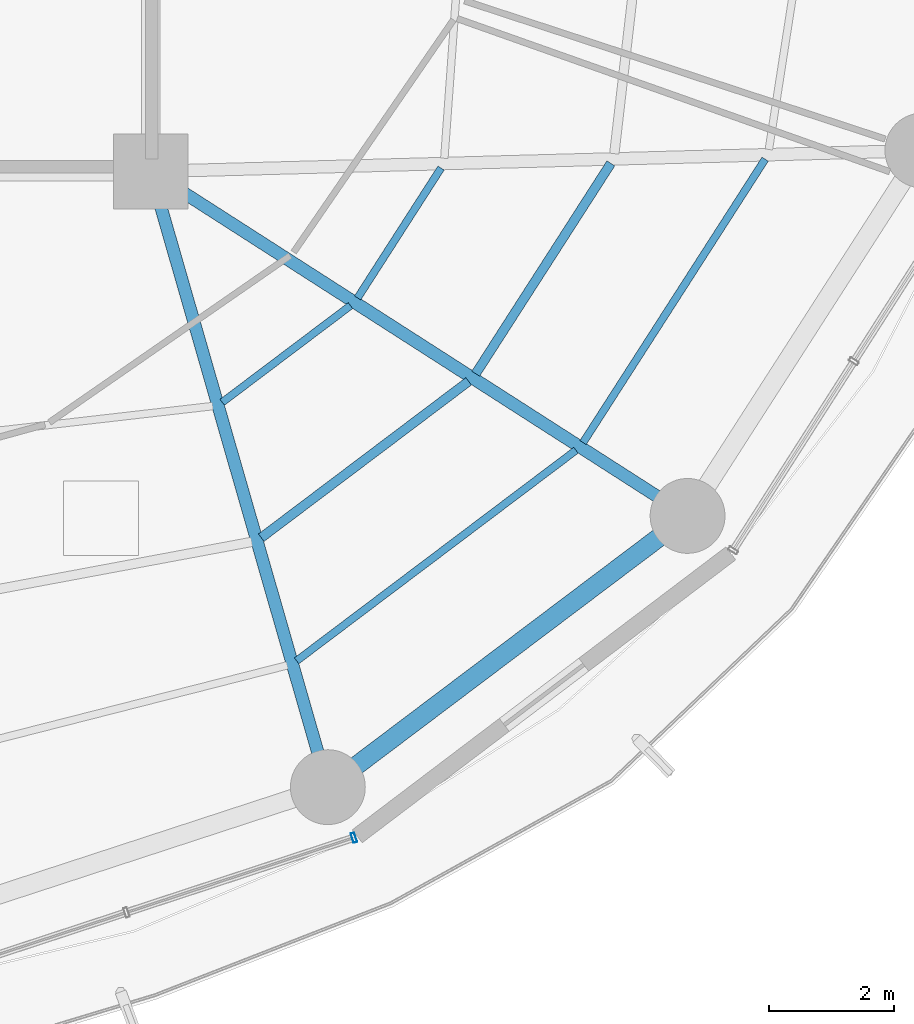
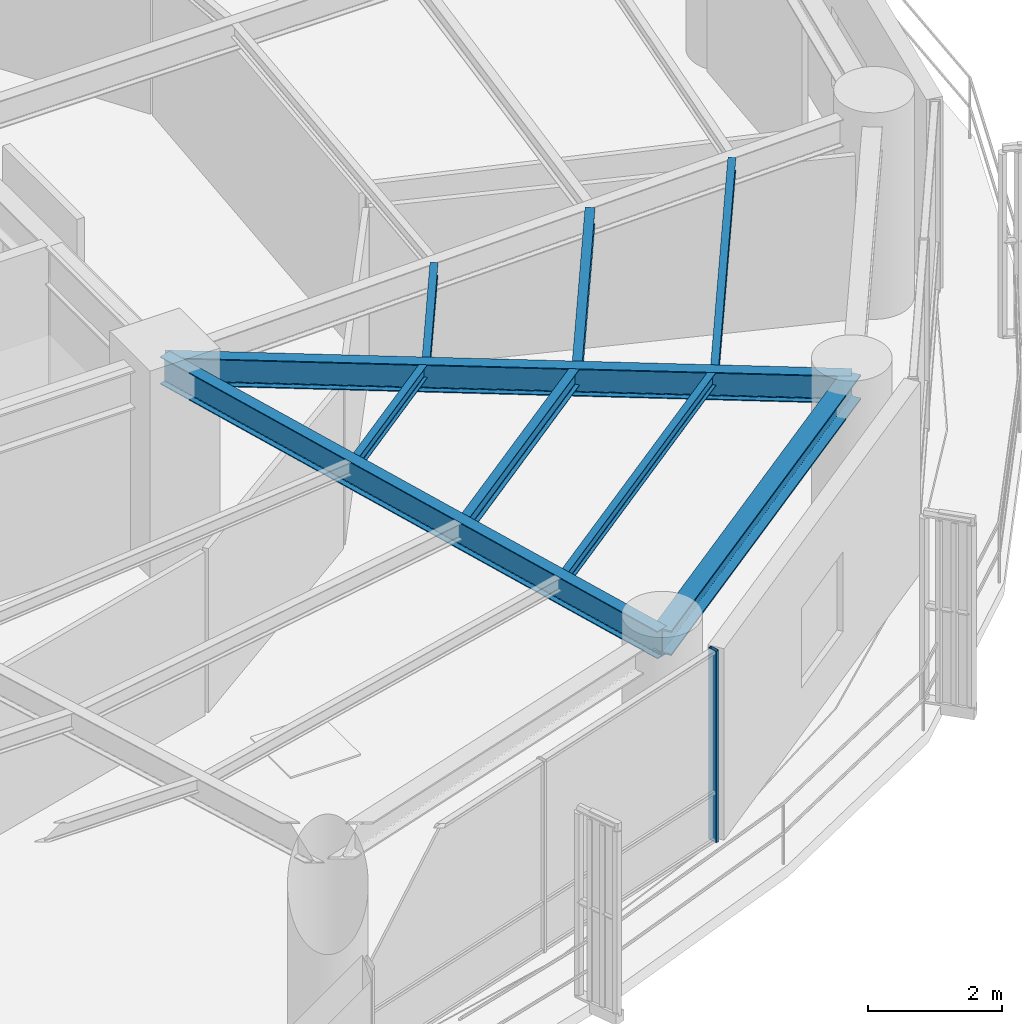
# One storey, part 10 of 28: 9 beams, 1 member, 1 element without a shape of its own.
"""IFC4 building model written with IfcOpenShell, lengths in metres."""

from ifc_helpers import new_model, si_unit, direction, frame, origin, origin_2d, place, context, subcontext, project, spatial, hollow_rectangle, i_section, extrude, material, layer, layer_set, material_profile, profile_set, type_object, element, aggregate, save


model = new_model("IFC4")

# Units and contexts
model_context = context("Model", 3, precision=1e-05, world=origin(), true_north=direction((0.0, 1.0)))
body_context = subcontext(model_context, "Body", "Model", "MODEL_VIEW")
ifc_project = project(units=[si_unit("LENGTHUNIT", "METRE"), si_unit("AREAUNIT", "SQUARE_METRE"), si_unit("VOLUMEUNIT", "CUBIC_METRE"), si_unit("PLANEANGLEUNIT", "RADIAN"), si_unit("MASSUNIT", "GRAM", prefix="KILO")], contexts=[model_context])

# Site, building, storey
site_placement = place(None, origin())
site = spatial("IfcSite", under=ifc_project, at=site_placement, CompositionType="ELEMENT")
building_placement = place(site_placement, origin())
building = spatial("IfcBuilding", under=site, at=building_placement, Name="Kelanora Arch Commons", CompositionType="ELEMENT")
storey_placement = place(building_placement, frame((0.0, 0.0, 180.60009765625)))
storey = spatial("IfcBuildingStorey", under=building, at=storey_placement, Name="L46", CompositionType="ELEMENT", Elevation=180.60009765625)

# Beams
ifc_material_1 = material(Name="Steel S355", Category="steel")
ifc_material_profile_1 = material_profile(ifc_material_1, i_section(OverallWidth=0.14990234375, OverallDepth=0.300048828125, WebThickness=0.007080078125, FlangeThickness=0.0107421875, FilletRadius=0.014892578125, at=origin_2d()), Name="IPE300")
ifc_profile_set_1 = profile_set([ifc_material_profile_1], Name="Steel S355")
beam_type_1 = type_object("IfcBeamType", Name="BM-JST-01", PredefinedType="JOIST", material=ifc_profile_set_1)
beam_1_placement = place(storey_placement, frame((83.77197265625, 45.129150390625, 3.33984375), z_axis=(0.798463547891, 0.602043156833, 0.0), x_axis=(-0.602043156833, 0.798463547891, 0.0)))
element("IfcBeam", 1, at=beam_1_placement, inside=storey, type_object=beam_type_1, Name="Secondary Chord Joist BJB-30 L46", PredefinedType="JOIST", context=body_context, shape_type="SweptSolid", body=[
    extrude(i_section(OverallWidth=0.14990234375, OverallDepth=0.300048828125, WebThickness=0.007080078125, FlangeThickness=0.0107421875, FilletRadius=0.014892578125, at=origin_2d()), origin(), (0.0, 0.0, 1.0), 4.163818359375),
])
beam_2_placement = place(storey_placement, frame((87.210693359375, 47.758544921875, 3.33984375), z_axis=(0.540594434398, 0.841283339606, 0.0), x_axis=(-0.841283339606, 0.540594434398, 0.0)))
element("IfcBeam", 2, at=beam_2_placement, inside=storey, type_object=beam_type_1, Name="Secondary Chord Joist BJB-32 L46", PredefinedType="JOIST", context=body_context, shape_type="SweptSolid", body=[
    extrude(i_section(OverallWidth=0.14990234375, OverallDepth=0.300048828125, WebThickness=0.007080078125, FlangeThickness=0.0107421875, FilletRadius=0.014892578125, at=origin_2d()), origin(), (0.0, 0.0, 1.0), 4.008544921875),
])
ifc_material_profile_2 = material_profile(ifc_material_1, i_section(OverallWidth=0.1201171875, OverallDepth=0.239990234375, WebThickness=0.006103515625, FlangeThickness=0.009765625, FilletRadius=0.014892578125, at=origin_2d()), Name="IPE240")
ifc_profile_set_2 = profile_set([ifc_material_profile_2], Name="Steel S355")
beam_type_2 = type_object("IfcBeamType", Name="BM-JST-02", PredefinedType="JOIST", material=ifc_profile_set_2)
beam_3_placement = place(storey_placement, frame((83.147216796875, 47.300537109375, 3.369873046875), z_axis=(0.798484118859, 0.602015873487, 0.0), x_axis=(-0.602015873487, 0.798484118859, 0.0)))
element("IfcBeam", 3, at=beam_3_placement, inside=storey, type_object=beam_type_2, Name="Secondary Chord Joist BJA-30 L46", PredefinedType="JOIST", context=body_context, shape_type="SweptSolid", body=[
    extrude(i_section(OverallWidth=0.1201171875, OverallDepth=0.239990234375, WebThickness=0.006103515625, FlangeThickness=0.009765625, FilletRadius=0.014892578125, at=origin_2d()), origin(), (0.0, 0.0, 1.0), 2.57470703125),
])
beam_4_placement = place(storey_placement, frame((84.33984375, 43.155029296875, 3.369873046875), z_axis=(0.798493128577, 0.602003923256, 0.0), x_axis=(-0.602003923256, 0.798493128577, 0.0)))
element("IfcBeam", 4, at=beam_4_placement, inside=storey, type_object=beam_type_2, Name="Secondary Chord Joist BJC-30 L46", PredefinedType="JOIST", context=body_context, shape_type="SweptSolid", body=[
    extrude(i_section(OverallWidth=0.1201171875, OverallDepth=0.239990234375, WebThickness=0.006103515625, FlangeThickness=0.009765625, FilletRadius=0.014892578125, at=origin_2d()), origin(), (0.0, 0.0, 1.0), 5.608642578125),
])
beam_5_placement = place(storey_placement, frame((85.31689453125, 48.973388671875, 3.369873046875), z_axis=(0.540583174025, 0.841290575224, 0.0), x_axis=(-0.841290575224, 0.540583174025, 0.0)))
element("IfcBeam", 5, at=beam_5_placement, inside=storey, type_object=beam_type_2, Name="Secondary Chord Joist BJA-32 L46", PredefinedType="JOIST", context=body_context, shape_type="SweptSolid", body=[
    extrude(i_section(OverallWidth=0.1201171875, OverallDepth=0.239990234375, WebThickness=0.006103515625, FlangeThickness=0.009765625, FilletRadius=0.014892578125, at=origin_2d()), origin(), (0.0, 0.0, 1.0), 2.476318359375),
])
beam_6_placement = place(storey_placement, frame((88.93212890625, 46.654296875, 3.369873046875), z_axis=(0.540581678156, 0.841291536414, 0.0), x_axis=(-0.841291536414, 0.540581678156, 0.0)))
element("IfcBeam", 6, at=beam_6_placement, inside=storey, type_object=beam_type_2, Name="Secondary Chord Joist BJC-32 L46", PredefinedType="JOIST", context=body_context, shape_type="SweptSolid", body=[
    extrude(i_section(OverallWidth=0.1201171875, OverallDepth=0.239990234375, WebThickness=0.006103515625, FlangeThickness=0.009765625, FilletRadius=0.014892578125, at=origin_2d()), origin(), (0.0, 0.0, 1.0), 5.4013671875),
])
ifc_material_profile_3 = material_profile(ifc_material_1, i_section(OverallWidth=0.199951171875, OverallDepth=0.5, WebThickness=0.01025390625, FlangeThickness=0.01611328125, FilletRadius=0.02099609375, at=origin_2d()), Name="IPE500")
ifc_profile_set_3 = profile_set([ifc_material_profile_3], Name="Steel S355")
beam_type_3 = type_object("IfcBeamType", Name="BM-RAD-Z3", PredefinedType="BEAM", material=ifc_profile_set_3)
beam_7_placement = place(storey_placement, frame((82.0, 51.0, 3.239990234375), z_axis=(0.276525880065, -0.961006471182, 0.0), x_axis=(0.961006471182, 0.276525880065, 0.0)))
element("IfcBeam", 7, at=beam_7_placement, inside=storey, type_object=beam_type_3, Name="Radial Floor Girder BR-30 L46", PredefinedType="BEAM", context=body_context, shape_type="SweptSolid", body=[
    extrude(i_section(OverallWidth=0.199951171875, OverallDepth=0.5, WebThickness=0.01025390625, FlangeThickness=0.01611328125, FilletRadius=0.02099609375, at=origin_2d()), origin(), (0.0, 0.0, 1.0), 10.2705078125),
])
beam_8_placement = place(storey_placement, frame((82.0, 51.0, 3.239990234375), z_axis=(0.841719465748, -0.539915123868, 0.0), x_axis=(0.539915123868, 0.841719465748, 0.0)))
element("IfcBeam", 8, at=beam_8_placement, inside=storey, type_object=beam_type_3, Name="Radial Floor Girder BR-32 L46", PredefinedType="BEAM", context=body_context, shape_type="SweptSolid", body=[
    extrude(i_section(OverallWidth=0.199951171875, OverallDepth=0.5, WebThickness=0.01025390625, FlangeThickness=0.01611328125, FilletRadius=0.02099609375, at=origin_2d()), origin(), (0.0, 0.0, 1.0), 10.2265625),
])
ifc_material_profile_4 = material_profile(ifc_material_1, i_section(OverallWidth=0.300048828125, OverallDepth=0.449951171875, WebThickness=0.013916015625, FlangeThickness=0.02587890625, FilletRadius=0.027099609375, at=origin_2d()), Name="HEB450")
ifc_profile_set_4 = profile_set([ifc_material_profile_4], Name="Steel S355")
beam_type_4 = type_object("IfcBeamType", Name="BM-SPN-Z3", PredefinedType="SPANDREL", material=ifc_profile_set_4)
beam_9_placement = place(storey_placement, frame((84.840087890625, 41.1298828125, 3.264892578125), z_axis=(0.798484645564, 0.60201517489, 0.0), x_axis=(-0.60201517489, 0.798484645564, 0.0)))
element("IfcBeam", 9, at=beam_9_placement, inside=storey, type_object=beam_type_4, Name="Perimeter Spandrel Beam BS-30 L46", PredefinedType="SPANDREL", context=body_context, shape_type="SweptSolid", body=[
    extrude(i_section(OverallWidth=0.300048828125, OverallDepth=0.449951171875, WebThickness=0.013916015625, FlangeThickness=0.02587890625, FilletRadius=0.027099609375, at=origin_2d()), origin(), (0.0, 0.0, 1.0), 7.223388671875),
])

# Curtain wall, member
ifc_material_2 = material(Name="Terracotta ceramic-fritted low-E glass and aluminium", Category="masonry")
ifc_layer = layer(ifc_material_2, 0.175048828125)
ifc_layer_set = layer_set([ifc_layer], Name="Terracotta ceramic-fritted low-E glass and aluminium")
curtain_wall_type = type_object("IfcCurtainWallType", Name="CW-SYS-02", PredefinedType="NOTDEFINED", material=ifc_layer_set)
curtain_wall_placement = place(storey_placement, origin())
curtain_wall = element("IfcCurtainWall", 10, at=curtain_wall_placement, inside=storey, type_object=curtain_wall_type, Name="Unitised Curtain Wall L46-B14", PredefinedType="NOTDEFINED")
ifc_material_3 = material(Name="Powder-coated aluminium terracotta", Category="masonry")
ifc_material_profile_5 = material_profile(ifc_material_3, hollow_rectangle(XDim=0.159912109375, YDim=0.06005859375, WallThickness=0.0048828125, InnerFilletRadius=0.0048828125, OuterFilletRadius=0.010009765625, at=origin_2d()), Name="CWM160x60")
ifc_profile_set_5 = profile_set([ifc_material_profile_5], Name="Powder-coated aluminium terracotta")
member_type = type_object("IfcMemberType", Name="CWM-STD", PredefinedType="MULLION", material=ifc_profile_set_5)
member_placement = place(storey_placement, frame((85.257080078125, 40.319091796875, 0.0), z_axis=(0.0, 0.0, 1.0), x_axis=(-0.312128279571, 0.95003996605, 0.0)))
member = element("IfcMember", 11, at=member_placement, type_object=member_type, Name="CW-02 mullion 3", PredefinedType="MULLION", context=body_context, shape_type="SweptSolid", body=[
    extrude(hollow_rectangle(XDim=0.159912109375, YDim=0.06005859375, WallThickness=0.0048828125, InnerFilletRadius=0.0048828125, OuterFilletRadius=0.010009765625, at=origin_2d()), origin(), (0.0, 0.0, 1.0), 3.474853515625),
])
aggregate(curtain_wall, [member])

save(model, "model.ifc")
